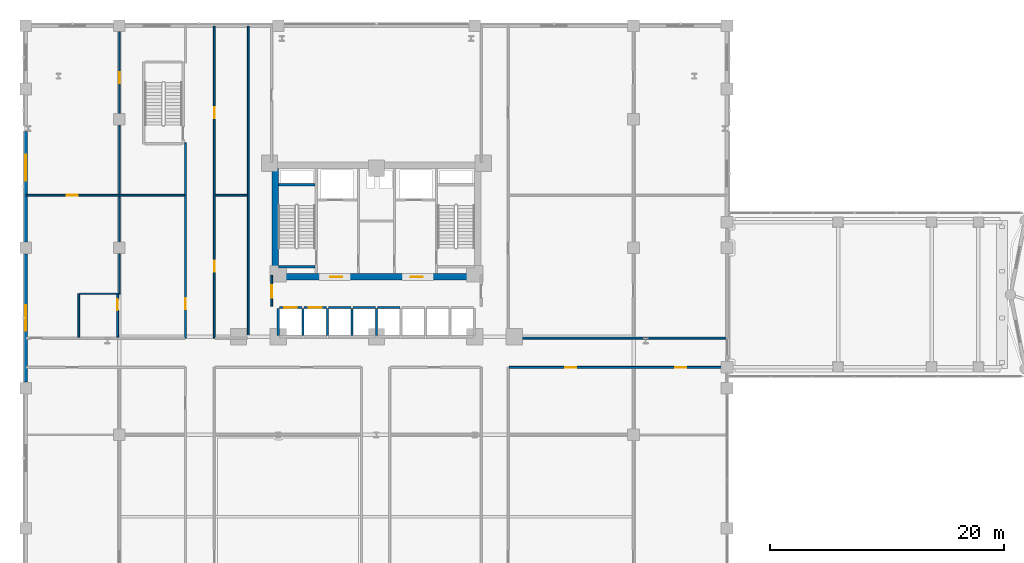
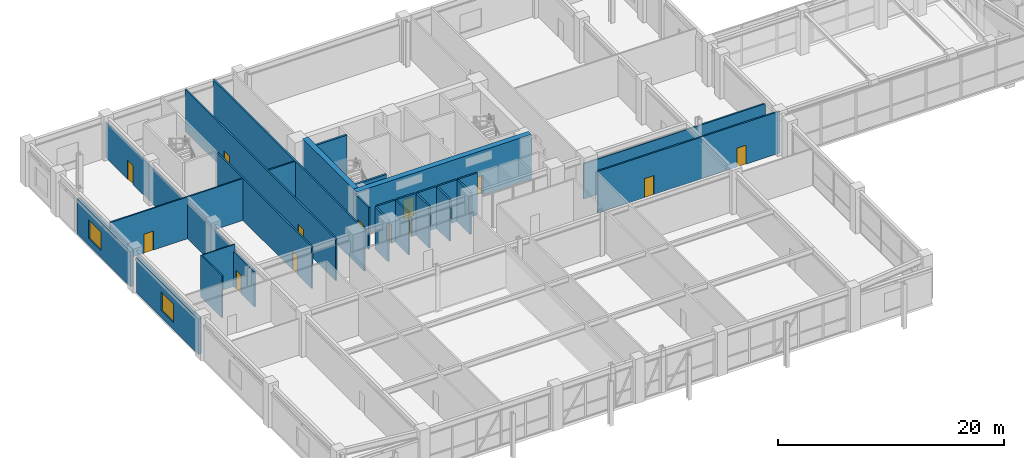
# One storey, part 33 of 48: 28 walls, 13 doors, 2 windows, 15 openings.
"""IFC4 building model written with IfcOpenShell, lengths in metres."""

from ifc_helpers import new_model, si_unit, derived_unit, direction, frame, frame_2d, origin, place, context, subcontext, project, spatial, rectangle, extrude, material, layer, layer_set, type_object, element, fill, save


model = new_model("IFC4")

# Units and contexts
model_context = context("Model", 3, precision=1e-05, world=origin(), true_north=direction((0.0, 1.0)))
body_context = subcontext(model_context, "Body", "Model", "MODEL_VIEW")
ifc_project = project(units=[si_unit("LENGTHUNIT", "METRE"), si_unit("AREAUNIT", "SQUARE_METRE"), si_unit("VOLUMEUNIT", "CUBIC_METRE"), si_unit("PLANEANGLEUNIT", "RADIAN"), si_unit("MASSUNIT", "GRAM", prefix="KILO"), derived_unit("THERMALTRANSMITTANCEUNIT", [(si_unit("POWERUNIT", "WATT"), 1), (si_unit("LENGTHUNIT", "METRE"), -2), (si_unit("THERMODYNAMICTEMPERATUREUNIT", "KELVIN"), -1)])], contexts=[model_context])

# Site, building, storey
site_placement = place(None, origin())
site = spatial("IfcSite", under=ifc_project, at=site_placement, CompositionType="ELEMENT")
building_placement = place(site_placement, origin())
building = spatial("IfcBuilding", under=site, at=building_placement, Name="Korsvarv Bourse and Concert Hall", CompositionType="ELEMENT")
storey_placement = place(building_placement, frame((0.0, 0.0, 4.800048828125)))
storey = spatial("IfcBuildingStorey", under=building, at=storey_placement, Name="L01", CompositionType="ELEMENT", Elevation=4.800048828125)

# Walls
ifc_material_1 = material(Name="Concrete C50/60", Category="concrete")
ifc_layer_1 = layer(ifc_material_1, 0.3798828125)
ifc_layer_set_1 = layer_set([ifc_layer_1], Name="Concrete C50/60")
wall_type_1 = type_object("IfcWallType", Name="WL-CORE-380", PredefinedType="SHEAR", material=ifc_layer_set_1)
for number, where, z_axis, x_axis, name in (
    (1, (27.610107421875, 45.39990234375, 0.0), (0.0, 0.0, 1.0), (1.0, 0.0, 0.0), "L01 stair shaft structural wall W-L01-ST1-N"),
    (2, (27.610107421875, 38.39990234375, 0.0), (0.0, 0.0, 1.0), (1.0, 0.0, 0.0), "L01 stair shaft structural wall W-L01-ST1-S"),
):
    element("IfcWall", number, at=place(storey_placement, frame(where, z_axis=z_axis, x_axis=x_axis)), inside=storey, type_object=wall_type_1, Name=name, PredefinedType="SHEAR", context=body_context, shape_type="SweptSolid", body=[
        extrude(rectangle(XDim=3.139892578125, YDim=0.199951171875, at=frame_2d((1.56982421875, 0.0))), origin(), (0.0, 0.0, 1.0), 4.800048828125),
    ])

# Wall, openings, doors
ifc_material_2 = material(Name="Concrete C60/75", Category="concrete")
ifc_layer_2 = layer(ifc_material_2, 0.550048828125)
ifc_layer_set_2 = layer_set([ifc_layer_2], Name="Concrete C60/75")
wall_type_2 = type_object("IfcWallType", Name="WL-CORE-550", PredefinedType="SHEAR", material=ifc_layer_set_2)
wall_1_placement = place(storey_placement, frame((27.050048828125, 37.52490234375, 0.0), z_axis=(0.0, 0.0, 1.0), x_axis=(1.0, 0.0, 0.0)))
wall_1 = element("IfcWall", 3, at=wall_1_placement, inside=storey, type_object=wall_type_2, Name="L01 South Core Shear Wall", PredefinedType="SHEAR", context=body_context, shape_type="SweptSolid", body=[
    extrude(rectangle(XDim=17.89990234375, YDim=0.550048828125, at=frame_2d((8.949951171875, 0.0))), origin(), (0.0, 0.0, 1.0), 4.800048828125),
])
opening_1_placement = place(wall_1_placement, frame((4.97509765625, 0.0, 0.0)))
opening_1 = element("IfcOpeningElement", 4, at=opening_1_placement, cuts=wall_1, Name="Opening D-01", PredefinedType="OPENING", context=body_context, shape_type="SweptSolid", body=[
    extrude(rectangle(XDim=1.050048828125, YDim=2.10009765625, at=frame_2d((0.52490234375, 1.050048828125))), frame((0.0, 0.28515625, 0.0), z_axis=(0.0, -1.0, 0.0), x_axis=(1.0, 0.0, 0.0)), (0.0, 0.0, 1.0), 0.570068359375),
])
opening_2_placement = place(wall_1_placement, frame((11.875, 0.0, 0.0)))
opening_2 = element("IfcOpeningElement", 5, at=opening_2_placement, cuts=wall_1, Name="Opening D-01", PredefinedType="OPENING", context=body_context, shape_type="SweptSolid", body=[
    extrude(rectangle(XDim=1.050048828125, YDim=2.10009765625, at=frame_2d((0.52490234375, 1.050048828125))), frame((0.0, 0.28515625, 0.0), z_axis=(0.0, -1.0, 0.0), x_axis=(1.0, 0.0, 0.0)), (0.0, 0.0, 1.0), 0.570068359375),
])
ifc_material_3 = material(Name="Steel S355 fire door", Category="steel")
door_type_1 = type_object("IfcDoorType", Name="DR-FD60", OperationType="NOTDEFINED", PredefinedType="DOOR", material=ifc_material_3)
door_1_placement = place(opening_1_placement, frame((1.050048828125, 0.0, 0.0), z_axis=(0.0, 0.0, 1.0), x_axis=(-1.0, 0.0, 0.0)))
door_1 = element("IfcDoor", 6, at=door_1_placement, inside=storey, type_object=door_type_1, Name="L01 firefighting lobby fire door DR-L01-FFLW", OperationType="SINGLE_SWING_LEFT", OverallHeight=2.10009765625, OverallWidth=1.050048828125, PredefinedType="DOOR", context=body_context, shape_type="SweptSolid", body=[
    extrude(rectangle(XDim=1.050048828125, YDim=2.10009765625, at=frame_2d((0.52490234375, 1.050048828125))), frame((0.0, 0.02490234375, 0.0), z_axis=(0.0, -1.0, 0.0), x_axis=(1.0, 0.0, 0.0)), (0.0, 0.0, 1.0), 0.050048828125),
])
fill(opening_1, door_1)
door_2_placement = place(opening_2_placement, frame((1.050048828125, 0.0, 0.0), z_axis=(0.0, 0.0, 1.0), x_axis=(-1.0, 0.0, 0.0)))
door_2 = element("IfcDoor", 7, at=door_2_placement, inside=storey, type_object=door_type_1, Name="L01 firefighting lobby fire door DR-L01-FFLE", OperationType="SINGLE_SWING_RIGHT", OverallHeight=2.10009765625, OverallWidth=1.050048828125, PredefinedType="DOOR", context=body_context, shape_type="SweptSolid", body=[
    extrude(rectangle(XDim=1.050048828125, YDim=2.10009765625, at=frame_2d((0.52490234375, 1.050048828125))), frame((0.0, 0.02490234375, 0.0), z_axis=(0.0, -1.0, 0.0), x_axis=(1.0, 0.0, 0.0)), (0.0, 0.0, 1.0), 0.050048828125),
])
fill(opening_2, door_2)

# Wall
wall_2_placement = place(storey_placement, frame((27.324951171875, 37.800048828125, 0.0), z_axis=(0.0, 0.0, 1.0), x_axis=(0.0, 1.0, 0.0)))
element("IfcWall", 8, at=wall_2_placement, inside=storey, type_object=wall_type_2, Name="L01 West Core Shear Wall", PredefinedType="SHEAR", context=body_context, shape_type="SweptSolid", body=[
    extrude(rectangle(XDim=9.0, YDim=0.550048828125, at=frame_2d((4.5, 0.0))), origin(), (0.0, 0.0, 1.0), 4.800048828125),
])

# Wall, opening, window
ifc_material_4 = material(Name="Precast concrete C45/55 with granite and terracotta", Category="concrete")
ifc_layer_3 = layer(ifc_material_4, 0.320068359375)
ifc_layer_set_3 = layer_set([ifc_layer_3], Name="Precast concrete C45/55 with granite and terracotta")
wall_type_3 = type_object("IfcWallType", Name="WL-EXT-POD", PredefinedType="SOLIDWALL", material=ifc_layer_set_3)
wall_3_placement = place(storey_placement, frame((6.0, 28.5048828125, 0.0), z_axis=(0.0, 0.0, 1.0), x_axis=(0.0, 1.0, 0.0)))
wall_3 = element("IfcWall", 9, at=wall_3_placement, inside=storey, type_object=wall_type_3, Name="L01 terracotta exterior wall EW-L01-W3", PredefinedType="SOLIDWALL", context=body_context, shape_type="SweptSolid", body=[
    extrude(rectangle(XDim=10.990234375, YDim=0.320068359375, at=frame_2d((5.4951171875, 0.0))), origin(), (0.0, 0.0, 1.0), 3.820068359375),
])
opening_3_placement = place(wall_3_placement, frame((4.39501953125, 0.0, 0.75)))
opening_3 = element("IfcOpeningElement", 10, at=opening_3_placement, cuts=wall_3, Name="Opening W-03", PredefinedType="OPENING", context=body_context, shape_type="SweptSolid", body=[
    extrude(rectangle(XDim=2.199951171875, YDim=2.0, at=frame_2d((1.10009765625, 1.0))), frame((0.0, 0.169921875, 0.0), z_axis=(0.0, -1.0, 0.0), x_axis=(1.0, 0.0, 0.0)), (0.0, 0.0, 1.0), 0.340087890625),
])
ifc_material_5 = material(Name="Thermally broken aluminium frame with triple low-E glass", Category="glass")
window_type = type_object("IfcWindowType", Name="WIN-POD1", PartitioningType="SINGLE_PANEL", PredefinedType="WINDOW", material=ifc_material_5)
window_1_placement = place(opening_3_placement, origin())
window_1 = element("IfcWindow", 11, at=window_1_placement, inside=storey, type_object=window_type, Name="L01 punched facade window W-03", OverallHeight=2.0, OverallWidth=2.199951171875, PartitioningType="SINGLE_PANEL", PredefinedType="WINDOW", context=body_context, shape_type="SweptSolid", body=[
    extrude(rectangle(XDim=2.199951171875, YDim=2.0, at=frame_2d((1.10009765625, 1.0))), frame((0.0, 0.030029296875, 0.0), z_axis=(0.0, -1.0, 0.0), x_axis=(1.0, 0.0, 0.0)), (0.0, 0.0, 1.0), 0.06005859375),
])
fill(opening_3, window_1)

wall_4_placement = place(storey_placement, frame((6.0, 40.5048828125, 0.0), z_axis=(0.0, 0.0, 1.0), x_axis=(0.0, 1.0, 0.0)))
wall_4 = element("IfcWall", 12, at=wall_4_placement, inside=storey, type_object=wall_type_3, Name="L01 terracotta exterior wall EW-L01-W4-1", PredefinedType="SOLIDWALL", context=body_context, shape_type="SweptSolid", body=[
    extrude(rectangle(XDim=9.47021484375, YDim=0.320068359375, at=frame_2d((4.735107421875, 0.0))), origin(), (0.0, 0.0, 1.0), 3.820068359375),
])
opening_4_placement = place(wall_4_placement, frame((5.252685546875, 0.0, 0.75)))
opening_4 = element("IfcOpeningElement", 13, at=opening_4_placement, cuts=wall_4, Name="Opening W-03", PredefinedType="OPENING", context=body_context, shape_type="SweptSolid", body=[
    extrude(rectangle(XDim=2.199951171875, YDim=2.0, at=frame_2d((1.10009765625, 1.0))), frame((0.0, 0.169921875, 0.0), z_axis=(0.0, -1.0, 0.0), x_axis=(1.0, 0.0, 0.0)), (0.0, 0.0, 1.0), 0.340087890625),
])
window_2_placement = place(opening_4_placement, origin())
window_2 = element("IfcWindow", 14, at=window_2_placement, inside=storey, type_object=window_type, Name="L01 punched facade window W-03", OverallHeight=2.0, OverallWidth=2.199951171875, PartitioningType="SINGLE_PANEL", PredefinedType="WINDOW", context=body_context, shape_type="SweptSolid", body=[
    extrude(rectangle(XDim=2.199951171875, YDim=2.0, at=frame_2d((1.10009765625, 1.0))), frame((0.0, 0.030029296875, 0.0), z_axis=(0.0, -1.0, 0.0), x_axis=(1.0, 0.0, 0.0)), (0.0, 0.0, 1.0), 0.06005859375),
])
fill(opening_4, window_2)

# Wall, opening, door
ifc_material_6 = material(Name="Double-stud fire-rated acoustic partition", Category="gypsum")
ifc_layer_4 = layer(ifc_material_6, 0.159912109375)
ifc_layer_set_4 = layer_set([ifc_layer_4], Name="Double-stud fire-rated acoustic partition")
wall_type_4 = type_object("IfcWallType", Name="WL-INT-EI60", PredefinedType="PARTITIONING", material=ifc_layer_set_4)
wall_5_placement = place(storey_placement, frame((27.0400390625, 35.0, 0.0), z_axis=(0.0, 0.0, 1.0), x_axis=(0.0, 1.0, 0.0)))
wall_5 = element("IfcWall", 15, at=wall_5_placement, inside=storey, type_object=wall_type_4, Name="L01 interior partition wall W-L01-LOB-W", PredefinedType="PARTITIONING", context=body_context, shape_type="SweptSolid", body=[
    extrude(rectangle(XDim=2.64990234375, YDim=0.159912109375, at=frame_2d((1.324951171875, 0.0))), origin(), (0.0, 0.0, 1.0), 4.52001953125),
])
opening_5_placement = place(wall_5_placement, frame((0.75, 0.0, 0.0)))
opening_5 = element("IfcOpeningElement", 16, at=opening_5_placement, cuts=wall_5, Name="Opening D-01", PredefinedType="OPENING", context=body_context, shape_type="SweptSolid", body=[
    extrude(rectangle(XDim=1.050048828125, YDim=2.10009765625, at=frame_2d((0.52490234375, 1.050048828125))), frame((0.0, 0.08984375, 0.0), z_axis=(0.0, -1.0, 0.0), x_axis=(1.0, 0.0, 0.0)), (0.0, 0.0, 1.0), 0.179931640625),
])
door_3_placement = place(opening_5_placement, frame((1.050048828125, 0.0, 0.0), z_axis=(0.0, 0.0, 1.0), x_axis=(-1.0, 0.0, 0.0)))
door_3 = element("IfcDoor", 17, at=door_3_placement, inside=storey, type_object=door_type_1, Name="L01 interior door DR-L01-LOBW", OperationType="SINGLE_SWING_LEFT", OverallHeight=2.10009765625, OverallWidth=1.050048828125, PredefinedType="DOOR", context=body_context, shape_type="SweptSolid", body=[
    extrude(rectangle(XDim=1.050048828125, YDim=2.10009765625, at=frame_2d((0.52490234375, 1.050048828125))), frame((0.0, 0.02490234375, 0.0), z_axis=(0.0, -1.0, 0.0), x_axis=(1.0, 0.0, 0.0)), (0.0, 0.0, 1.0), 0.050048828125),
])
fill(opening_5, door_3)

# Wall, openings, doors
wall_6_placement = place(storey_placement, frame((22.125, 32.27001953125, 0.0), z_axis=(0.0, 0.0, 1.0), x_axis=(0.0, 1.0, 0.0)))
wall_6 = element("IfcWall", 18, at=wall_6_placement, inside=storey, type_object=wall_type_4, Name="L01 interior partition wall W-L01-PCOR-08", PredefinedType="PARTITIONING", context=body_context, shape_type="SweptSolid", body=[
    extrude(rectangle(XDim=26.7099609375, YDim=0.159912109375, at=frame_2d((13.35498046875, 0.0))), origin(), (0.0, 0.0, 1.0), 4.52001953125),
])
opening_6_placement = place(wall_6_placement, frame((5.695068359375, 0.0, 0.0)))
opening_6 = element("IfcOpeningElement", 19, at=opening_6_placement, cuts=wall_6, Name="Opening D-02", PredefinedType="OPENING", context=body_context, shape_type="SweptSolid", body=[
    extrude(rectangle(XDim=0.949951171875, YDim=2.050048828125, at=frame_2d((0.47509765625, 1.02490234375))), frame((0.0, 0.08984375, 0.0), z_axis=(0.0, -1.0, 0.0), x_axis=(1.0, 0.0, 0.0)), (0.0, 0.0, 1.0), 0.179931640625),
])
opening_7_placement = place(wall_6_placement, frame((18.83349609375, 0.0, 0.0)))
opening_7 = element("IfcOpeningElement", 20, at=opening_7_placement, cuts=wall_6, Name="Opening D-02", PredefinedType="OPENING", context=body_context, shape_type="SweptSolid", body=[
    extrude(rectangle(XDim=0.949951171875, YDim=2.050048828125, at=frame_2d((0.47509765625, 1.02490234375))), frame((0.0, 0.08984375, 0.0), z_axis=(0.0, -1.0, 0.0), x_axis=(1.0, 0.0, 0.0)), (0.0, 0.0, 1.0), 0.179931640625),
])
ifc_material_7 = material(Name="Timber and steel acoustic fire door", Category="wood")
door_type_2 = type_object("IfcDoorType", Name="DR-FD30", OperationType="NOTDEFINED", PredefinedType="DOOR", material=ifc_material_7)
door_4_placement = place(opening_6_placement, origin())
door_4 = element("IfcDoor", 21, at=door_4_placement, inside=storey, type_object=door_type_2, Name="L01 interior door DR-L01-PCOR-RM1414", OperationType="SINGLE_SWING_RIGHT", OverallHeight=2.050048828125, OverallWidth=0.949951171875, PredefinedType="DOOR", context=body_context, shape_type="SweptSolid", body=[
    extrude(rectangle(XDim=0.949951171875, YDim=2.050048828125, at=frame_2d((0.47509765625, 1.02490234375))), frame((0.0, 0.02490234375, 0.0), z_axis=(0.0, -1.0, 0.0), x_axis=(1.0, 0.0, 0.0)), (0.0, 0.0, 1.0), 0.050048828125),
])
fill(opening_6, door_4)
door_5_placement = place(opening_7_placement, origin())
door_5 = element("IfcDoor", 22, at=door_5_placement, inside=storey, type_object=door_type_2, Name="L01 interior door DR-L01-PCOR-RM1515", OperationType="SINGLE_SWING_LEFT", OverallHeight=2.050048828125, OverallWidth=0.949951171875, PredefinedType="DOOR", context=body_context, shape_type="SweptSolid", body=[
    extrude(rectangle(XDim=0.949951171875, YDim=2.050048828125, at=frame_2d((0.47509765625, 1.02490234375))), frame((0.0, 0.02490234375, 0.0), z_axis=(0.0, -1.0, 0.0), x_axis=(1.0, 0.0, 0.0)), (0.0, 0.0, 1.0), 0.050048828125),
])
fill(opening_7, door_5)

# Wall
wall_7_placement = place(storey_placement, frame((25.02490234375, 32.27001953125, 0.0), z_axis=(0.0, 0.0, 1.0), x_axis=(0.0, 1.0, 0.0)))
element("IfcWall", 23, at=wall_7_placement, inside=storey, type_object=wall_type_4, Name="L01 interior partition wall W-L01-PCOR-09", PredefinedType="PARTITIONING", context=body_context, shape_type="SweptSolid", body=[
    extrude(rectangle(XDim=26.7099609375, YDim=0.159912109375, at=frame_2d((13.35498046875, 0.0))), origin(), (0.0, 0.0, 1.0), 4.52001953125),
])

# Wall, openings, doors
wall_8_placement = place(storey_placement, frame((47.35693359375, 29.77490234375, 0.0), z_axis=(0.0, 0.0, 1.0), x_axis=(1.0, 0.0, 0.0)))
wall_8 = element("IfcWall", 24, at=wall_8_placement, inside=storey, type_object=wall_type_4, Name="L01 interior partition wall W-L01-PCOR-10", PredefinedType="PARTITIONING", context=body_context, shape_type="SweptSolid", body=[
    extrude(rectangle(XDim=18.623046875, YDim=0.159912109375, at=frame_2d((9.3115234375, 0.0))), origin(), (0.0, 0.0, 1.0), 4.52001953125),
])
opening_8_placement = place(wall_8_placement, frame((4.794921875, 0.0, 0.0)))
opening_8 = element("IfcOpeningElement", 25, at=opening_8_placement, cuts=wall_8, Name="Opening D-02", PredefinedType="OPENING", context=body_context, shape_type="SweptSolid", body=[
    extrude(rectangle(XDim=0.949951171875, YDim=2.050048828125, at=frame_2d((0.47509765625, 1.02490234375))), frame((0.0, 0.08984375, 0.0), z_axis=(0.0, -1.0, 0.0), x_axis=(1.0, 0.0, 0.0)), (0.0, 0.0, 1.0), 0.179931640625),
])
opening_9_placement = place(wall_8_placement, frame((14.207763671875, 0.0, 0.0)))
opening_9 = element("IfcOpeningElement", 26, at=opening_9_placement, cuts=wall_8, Name="Opening D-02", PredefinedType="OPENING", context=body_context, shape_type="SweptSolid", body=[
    extrude(rectangle(XDim=0.949951171875, YDim=2.050048828125, at=frame_2d((0.47509765625, 1.02490234375))), frame((0.0, 0.08984375, 0.0), z_axis=(0.0, -1.0, 0.0), x_axis=(1.0, 0.0, 0.0)), (0.0, 0.0, 1.0), 0.179931640625),
])
door_6_placement = place(opening_8_placement, origin())
door_6 = element("IfcDoor", 27, at=door_6_placement, inside=storey, type_object=door_type_2, Name="L01 interior door DR-L01-PCOR-RM33", OperationType="SINGLE_SWING_RIGHT", OverallHeight=2.050048828125, OverallWidth=0.949951171875, PredefinedType="DOOR", context=body_context, shape_type="SweptSolid", body=[
    extrude(rectangle(XDim=0.949951171875, YDim=2.050048828125, at=frame_2d((0.47509765625, 1.02490234375))), frame((0.0, 0.02490234375, 0.0), z_axis=(0.0, -1.0, 0.0), x_axis=(1.0, 0.0, 0.0)), (0.0, 0.0, 1.0), 0.050048828125),
])
fill(opening_8, door_6)
door_7_placement = place(opening_9_placement, origin())
door_7 = element("IfcDoor", 28, at=door_7_placement, inside=storey, type_object=door_type_2, Name="L01 interior door DR-L01-PCOR-RM44", OperationType="SINGLE_SWING_LEFT", OverallHeight=2.050048828125, OverallWidth=0.949951171875, PredefinedType="DOOR", context=body_context, shape_type="SweptSolid", body=[
    extrude(rectangle(XDim=0.949951171875, YDim=2.050048828125, at=frame_2d((0.47509765625, 1.02490234375))), frame((0.0, 0.02490234375, 0.0), z_axis=(0.0, -1.0, 0.0), x_axis=(1.0, 0.0, 0.0)), (0.0, 0.0, 1.0), 0.050048828125),
])
fill(opening_9, door_7)

# Wall
wall_9_placement = place(storey_placement, frame((47.35693359375, 32.27490234375, 0.0), z_axis=(0.0, 0.0, 1.0), x_axis=(1.0, 0.0, 0.0)))
element("IfcWall", 29, at=wall_9_placement, inside=storey, type_object=wall_type_4, Name="L01 interior partition wall W-L01-PCOR-11", PredefinedType="PARTITIONING", context=body_context, shape_type="SweptSolid", body=[
    extrude(rectangle(XDim=18.56103515625, YDim=0.159912109375, at=frame_2d((9.280517578125, 0.0))), origin(), (0.0, 0.0, 1.0), 3.820068359375),
])

# Wall, opening, door
wall_10_placement = place(storey_placement, frame((19.6650390625, 32.27001953125, 0.0), z_axis=(0.0, 0.0, 1.0), x_axis=(0.0, 1.0, 0.0)))
wall_10 = element("IfcWall", 30, at=wall_10_placement, inside=storey, type_object=wall_type_4, Name="L01 interior partition wall W-L01-PCOR-12", PredefinedType="PARTITIONING", context=body_context, shape_type="SweptSolid", body=[
    extrude(rectangle(XDim=16.7099609375, YDim=0.159912109375, at=frame_2d((8.35498046875, 0.0))), origin(), (0.0, 0.0, 1.0), 4.52001953125),
])
opening_10_placement = place(wall_10_placement, frame((2.469970703125, 0.0, 0.0)))
opening_10 = element("IfcOpeningElement", 31, at=opening_10_placement, cuts=wall_10, Name="Opening D-02", PredefinedType="OPENING", context=body_context, shape_type="SweptSolid", body=[
    extrude(rectangle(XDim=0.949951171875, YDim=2.050048828125, at=frame_2d((0.47509765625, 1.02490234375))), frame((0.0, 0.08984375, 0.0), z_axis=(0.0, -1.0, 0.0), x_axis=(1.0, 0.0, 0.0)), (0.0, 0.0, 1.0), 0.179931640625),
])
door_8_placement = place(opening_10_placement, origin())
door_8 = element("IfcDoor", 32, at=door_8_placement, inside=storey, type_object=door_type_2, Name="L01 interior door DR-L01-PCOR-RM2222", OperationType="SINGLE_SWING_RIGHT", OverallHeight=2.050048828125, OverallWidth=0.949951171875, PredefinedType="DOOR", context=body_context, shape_type="SweptSolid", body=[
    extrude(rectangle(XDim=0.949951171875, YDim=2.050048828125, at=frame_2d((0.47509765625, 1.02490234375))), frame((0.0, 0.02490234375, 0.0), z_axis=(0.0, -1.0, 0.0), x_axis=(1.0, 0.0, 0.0)), (0.0, 0.0, 1.0), 0.050048828125),
])
fill(opening_10, door_8)

wall_11_placement = place(storey_placement, frame((13.85009765625, 32.35693359375, 0.0), z_axis=(0.0, 0.0, 1.0), x_axis=(0.0, 1.0, 0.0)))
wall_11 = element("IfcWall", 33, at=wall_11_placement, inside=storey, type_object=wall_type_4, Name="L01 interior partition wall W-L01-PCOR-19", PredefinedType="PARTITIONING", context=body_context, shape_type="SweptSolid", body=[
    extrude(rectangle(XDim=3.64599609375, YDim=0.159912109375, at=frame_2d((1.822998046875, 0.0))), origin(), (0.0, 0.0, 1.0), 3.820068359375),
])
opening_11_placement = place(wall_11_placement, frame((2.31591796875, 0.0, 0.0)))
opening_11 = element("IfcOpeningElement", 34, at=opening_11_placement, cuts=wall_11, Name="Opening D-02", PredefinedType="OPENING", context=body_context, shape_type="SweptSolid", body=[
    extrude(rectangle(XDim=0.949951171875, YDim=2.050048828125, at=frame_2d((0.47509765625, 1.02490234375))), frame((0.0, 0.08984375, 0.0), z_axis=(0.0, -1.0, 0.0), x_axis=(1.0, 0.0, 0.0)), (0.0, 0.0, 1.0), 0.179931640625),
])
door_9_placement = place(opening_11_placement, origin())
door_9 = element("IfcDoor", 35, at=door_9_placement, inside=storey, type_object=door_type_2, Name="L01 interior door DR-L01-PCOR-RWC", OperationType="SINGLE_SWING_RIGHT", OverallHeight=2.050048828125, OverallWidth=0.949951171875, PredefinedType="DOOR", context=body_context, shape_type="SweptSolid", body=[
    extrude(rectangle(XDim=0.949951171875, YDim=2.050048828125, at=frame_2d((0.47509765625, 1.02490234375))), frame((0.0, 0.02490234375, 0.0), z_axis=(0.0, -1.0, 0.0), x_axis=(1.0, 0.0, 0.0)), (0.0, 0.0, 1.0), 0.050048828125),
])
fill(opening_11, door_9)

ifc_material_8 = material(Name="Gypsum-clad autoclaved concrete shaft wall C30/37", Category="concrete")
ifc_layer_5 = layer(ifc_material_8, 0.179931640625)
ifc_layer_set_5 = layer_set([ifc_layer_5], Name="Gypsum-clad autoclaved concrete shaft wall C30/37")
wall_type_5 = type_object("IfcWallType", Name="WL-INT-EI90", PredefinedType="PARTITIONING", material=ifc_layer_set_5)
wall_12_placement = place(storey_placement, frame((27.68994140625, 34.89990234375, 0.0), z_axis=(0.0, 0.0, 1.0), x_axis=(1.0, 0.0, 0.0)))
wall_12 = element("IfcWall", 36, at=wall_12_placement, inside=storey, type_object=wall_type_5, Name="L01 interior partition wall W-L01-SHFN-PL1", PredefinedType="PARTITIONING", context=body_context, shape_type="SweptSolid", body=[
    extrude(rectangle(XDim=1.920166015625, YDim=0.179931640625, at=frame_2d((0.9599609375, 0.0))), origin(), (0.0, 0.0, 1.0), 4.52001953125),
])
opening_12_placement = place(wall_12_placement, frame((0.409912109375, 0.0, 0.0)))
opening_12 = element("IfcOpeningElement", 37, at=opening_12_placement, cuts=wall_12, Name="Opening LD-2", PredefinedType="OPENING", context=body_context, shape_type="SweptSolid", body=[
    extrude(rectangle(XDim=1.10009765625, YDim=2.10009765625, at=frame_2d((0.550048828125, 1.050048828125))), frame((0.0, 0.10009765625, 0.0), z_axis=(0.0, -1.0, 0.0), x_axis=(1.0, 0.0, 0.0)), (0.0, 0.0, 1.0), 0.199951171875),
])
ifc_material_9 = material(Name="Brushed stainless Steel S355 lift landing door", Category="steel")
door_type_3 = type_object("IfcDoorType", Name="DR-LIFT-P", OperationType="DOUBLE_DOOR_SLIDING", PredefinedType="DOOR", material=ifc_material_9)
door_10_placement = place(opening_12_placement, origin())
door_10 = element("IfcDoor", 38, at=door_10_placement, inside=storey, type_object=door_type_3, Name="L01 lift sliding landing door LD-L01-PL1", OperationType="DOUBLE_DOOR_SLIDING", OverallHeight=2.10009765625, OverallWidth=1.10009765625, PredefinedType="DOOR", context=body_context, shape_type="SweptSolid", body=[
    extrude(rectangle(XDim=1.10009765625, YDim=2.10009765625, at=frame_2d((0.550048828125, 1.050048828125))), frame((0.0, 0.02490234375, 0.0), z_axis=(0.0, -1.0, 0.0), x_axis=(1.0, 0.0, 0.0)), (0.0, 0.0, 1.0), 0.050048828125),
])
fill(opening_12, door_10)

# Wall
wall_13_placement = place(storey_placement, frame((27.60009765625, 32.489990234375, 0.0), z_axis=(0.0, 0.0, 1.0), x_axis=(0.0, 1.0, 0.0)))
element("IfcWall", 39, at=wall_13_placement, inside=storey, type_object=wall_type_5, Name="L01 interior partition wall W-L01-SHFW-PL1", PredefinedType="PARTITIONING", context=body_context, shape_type="SweptSolid", body=[
    extrude(rectangle(XDim=2.320068359375, YDim=0.179931640625, at=frame_2d((1.16015625, 0.0))), origin(), (0.0, 0.0, 1.0), 4.52001953125),
])

# Wall, opening, door
wall_14_placement = place(storey_placement, frame((29.7900390625, 34.89990234375, 0.0), z_axis=(0.0, 0.0, 1.0), x_axis=(1.0, 0.0, 0.0)))
wall_14 = element("IfcWall", 40, at=wall_14_placement, inside=storey, type_object=wall_type_5, Name="L01 interior partition wall W-L01-SHFN-PL2", PredefinedType="PARTITIONING", context=body_context, shape_type="SweptSolid", body=[
    extrude(rectangle(XDim=1.919921875, YDim=0.179931640625, at=frame_2d((0.9599609375, 0.0))), origin(), (0.0, 0.0, 1.0), 4.52001953125),
])
opening_13_placement = place(wall_14_placement, frame((0.409912109375, 0.0, 0.0)))
opening_13 = element("IfcOpeningElement", 41, at=opening_13_placement, cuts=wall_14, Name="Opening LD-2", PredefinedType="OPENING", context=body_context, shape_type="SweptSolid", body=[
    extrude(rectangle(XDim=1.10009765625, YDim=2.10009765625, at=frame_2d((0.550048828125, 1.050048828125))), frame((0.0, 0.10009765625, 0.0), z_axis=(0.0, -1.0, 0.0), x_axis=(1.0, 0.0, 0.0)), (0.0, 0.0, 1.0), 0.199951171875),
])
door_11_placement = place(opening_13_placement, origin())
door_11 = element("IfcDoor", 42, at=door_11_placement, inside=storey, type_object=door_type_3, Name="L01 lift sliding landing door LD-L01-PL2", OperationType="DOUBLE_DOOR_SLIDING", OverallHeight=2.10009765625, OverallWidth=1.10009765625, PredefinedType="DOOR", context=body_context, shape_type="SweptSolid", body=[
    extrude(rectangle(XDim=1.10009765625, YDim=2.10009765625, at=frame_2d((0.550048828125, 1.050048828125))), frame((0.0, 0.02490234375, 0.0), z_axis=(0.0, -1.0, 0.0), x_axis=(1.0, 0.0, 0.0)), (0.0, 0.0, 1.0), 0.050048828125),
])
fill(opening_13, door_11)

# Walls
wall_15_placement = place(storey_placement, frame((29.699951171875, 32.489990234375, 0.0), z_axis=(0.0, 0.0, 1.0), x_axis=(0.0, 1.0, 0.0)))
element("IfcWall", 43, at=wall_15_placement, inside=storey, type_object=wall_type_5, Name="L01 interior partition wall W-L01-SHFW-PL2", PredefinedType="PARTITIONING", context=body_context, shape_type="SweptSolid", body=[
    extrude(rectangle(XDim=2.320068359375, YDim=0.179931640625, at=frame_2d((1.16015625, 0.0))), origin(), (0.0, 0.0, 1.0), 4.52001953125),
])
wall_16_placement = place(storey_placement, frame((31.889892578125, 34.89990234375, 0.0), z_axis=(0.0, 0.0, 1.0), x_axis=(1.0, 0.0, 0.0)))
element("IfcWall", 44, at=wall_16_placement, inside=storey, type_object=wall_type_5, Name="L01 interior partition wall W-L01-SHFN-PM1", PredefinedType="PARTITIONING", context=body_context, shape_type="SweptSolid", body=[
    extrude(rectangle(XDim=1.920166015625, YDim=0.179931640625, at=frame_2d((0.9599609375, 0.0))), origin(), (0.0, 0.0, 1.0), 4.52001953125),
])
wall_17_placement = place(storey_placement, frame((31.800048828125, 32.489990234375, 0.0), z_axis=(0.0, 0.0, 1.0), x_axis=(0.0, 1.0, 0.0)))
element("IfcWall", 45, at=wall_17_placement, inside=storey, type_object=wall_type_5, Name="L01 interior partition wall W-L01-SHFW-PM1", PredefinedType="PARTITIONING", context=body_context, shape_type="SweptSolid", body=[
    extrude(rectangle(XDim=2.320068359375, YDim=0.179931640625, at=frame_2d((1.16015625, 0.0))), origin(), (0.0, 0.0, 1.0), 4.52001953125),
])
wall_18_placement = place(storey_placement, frame((33.989990234375, 34.89990234375, 0.0), z_axis=(0.0, 0.0, 1.0), x_axis=(1.0, 0.0, 0.0)))
element("IfcWall", 46, at=wall_18_placement, inside=storey, type_object=wall_type_5, Name="L01 interior partition wall W-L01-SHFN-PM2", PredefinedType="PARTITIONING", context=body_context, shape_type="SweptSolid", body=[
    extrude(rectangle(XDim=1.919921875, YDim=0.179931640625, at=frame_2d((0.9599609375, 0.0))), origin(), (0.0, 0.0, 1.0), 4.52001953125),
])
wall_19_placement = place(storey_placement, frame((33.89990234375, 32.489990234375, 0.0), z_axis=(0.0, 0.0, 1.0), x_axis=(0.0, 1.0, 0.0)))
element("IfcWall", 47, at=wall_19_placement, inside=storey, type_object=wall_type_5, Name="L01 interior partition wall W-L01-SHFW-PM2", PredefinedType="PARTITIONING", context=body_context, shape_type="SweptSolid", body=[
    extrude(rectangle(XDim=2.320068359375, YDim=0.179931640625, at=frame_2d((1.16015625, 0.0))), origin(), (0.0, 0.0, 1.0), 4.52001953125),
])
wall_20_placement = place(storey_placement, frame((36.090087890625, 34.89990234375, 0.0), z_axis=(0.0, 0.0, 1.0), x_axis=(1.0, 0.0, 0.0)))
element("IfcWall", 48, at=wall_20_placement, inside=storey, type_object=wall_type_5, Name="L01 interior partition wall W-L01-SHFN-PH1", PredefinedType="PARTITIONING", context=body_context, shape_type="SweptSolid", body=[
    extrude(rectangle(XDim=1.919921875, YDim=0.179931640625, at=frame_2d((0.9599609375, 0.0))), origin(), (0.0, 0.0, 1.0), 4.52001953125),
])
wall_21_placement = place(storey_placement, frame((36.0, 32.489990234375, 0.0), z_axis=(0.0, 0.0, 1.0), x_axis=(0.0, 1.0, 0.0)))
element("IfcWall", 49, at=wall_21_placement, inside=storey, type_object=wall_type_5, Name="L01 interior partition wall W-L01-SHFW-PH1", PredefinedType="PARTITIONING", context=body_context, shape_type="SweptSolid", body=[
    extrude(rectangle(XDim=2.320068359375, YDim=0.179931640625, at=frame_2d((1.16015625, 0.0))), origin(), (0.0, 0.0, 1.0), 4.52001953125),
])
ifc_material_10 = material(Name="Demountable acoustic glass and aluminium dealing partition", Category="aluminium")
ifc_layer_6 = layer(ifc_material_10, 0.110107421875)
ifc_layer_set_6 = layer_set([ifc_layer_6], Name="Demountable acoustic glass and aluminium dealing partition")
wall_type_6 = type_object("IfcWallType", Name="WL-INT-MOV", PredefinedType="MOVABLE", material=ifc_layer_set_6)
wall_22_placement = place(storey_placement, frame((10.596923828125, 36.074951171875, 0.0), z_axis=(0.0, 0.0, 1.0), x_axis=(1.0, 0.0, 0.0)))
element("IfcWall", 50, at=wall_22_placement, inside=storey, type_object=wall_type_6, Name="L01 interior partition wall W-L01-PCOR-33", PredefinedType="MOVABLE", context=body_context, shape_type="SweptSolid", body=[
    extrude(rectangle(XDim=3.336181640625, YDim=0.110107421875, at=frame_2d((1.66796875, 0.0))), origin(), (0.0, 0.0, 1.0), 4.52001953125),
])

# Wall, opening, door
ifc_material_11 = material(Name="Insulated steel-stud office acoustic partition", Category="gypsum")
ifc_layer_7 = layer(ifc_material_11, 0.139892578125)
ifc_layer_set_7 = layer_set([ifc_layer_7], Name="Insulated steel-stud office acoustic partition")
wall_type_7 = type_object("IfcWallType", Name="WL-INT-P1", PredefinedType="PARTITIONING", material=ifc_layer_set_7)
wall_23_placement = place(storey_placement, frame((14.0048828125, 36.034912109375, 0.0), z_axis=(0.0, 0.0, 1.0), x_axis=(0.0, 1.0, 0.0)))
wall_23 = element("IfcWall", 51, at=wall_23_placement, inside=storey, type_object=wall_type_7, Name="L01 interior partition wall W-L01-PCOR-25", PredefinedType="PARTITIONING", context=body_context, shape_type="SweptSolid", body=[
    extrude(rectangle(XDim=22.945068359375, YDim=0.139892578125, at=frame_2d((11.47265625, 0.0))), origin(), (0.0, 0.0, 1.0), 3.820068359375),
])
opening_14_placement = place(wall_23_placement, frame((18.05224609375, 0.0, 0.0)))
opening_14 = element("IfcOpeningElement", 52, at=opening_14_placement, cuts=wall_23, Name="Opening D-03", PredefinedType="OPENING", context=body_context, shape_type="SweptSolid", body=[
    extrude(rectangle(XDim=0.949951171875, YDim=2.050048828125, at=frame_2d((0.47509765625, 1.02490234375))), frame((0.0, 0.080078125, 0.0), z_axis=(0.0, -1.0, 0.0), x_axis=(1.0, 0.0, 0.0)), (0.0, 0.0, 1.0), 0.159912109375),
])
ifc_material_12 = material(Name="Nordic oak acoustic office door", Category="wood")
door_type_4 = type_object("IfcDoorType", Name="DR-INT-1", OperationType="NOTDEFINED", PredefinedType="DOOR", material=ifc_material_12)
door_12_placement = place(opening_14_placement, origin())
door_12 = element("IfcDoor", 53, at=door_12_placement, inside=storey, type_object=door_type_4, Name="L01 interior door DR-L01-PCOR-RM2323", OperationType="SINGLE_SWING_LEFT", OverallHeight=2.050048828125, OverallWidth=0.949951171875, PredefinedType="DOOR", context=body_context, shape_type="SweptSolid", body=[
    extrude(rectangle(XDim=0.949951171875, YDim=2.050048828125, at=frame_2d((0.47509765625, 1.02490234375))), frame((0.0, 0.02490234375, 0.0), z_axis=(0.0, -1.0, 0.0), x_axis=(1.0, 0.0, 0.0)), (0.0, 0.0, 1.0), 0.050048828125),
])
fill(opening_14, door_12)

wall_24_placement = place(storey_placement, frame((6.02001953125, 44.5048828125, 0.0), z_axis=(0.0, 0.0, 1.0), x_axis=(1.0, 0.0, 0.0)))
wall_24 = element("IfcWall", 54, at=wall_24_placement, inside=storey, type_object=wall_type_7, Name="L01 interior partition wall W-L01-PCOR-29", PredefinedType="PARTITIONING", context=body_context, shape_type="SweptSolid", body=[
    extrude(rectangle(XDim=13.56298828125, YDim=0.139892578125, at=frame_2d((6.781494140625, 0.0))), origin(), (0.0, 0.0, 1.0), 4.52001953125),
])
opening_15_placement = place(wall_24_placement, frame((3.465087890625, 0.0, 0.0)))
opening_15 = element("IfcOpeningElement", 55, at=opening_15_placement, cuts=wall_24, Name="Opening D-03", PredefinedType="OPENING", context=body_context, shape_type="SweptSolid", body=[
    extrude(rectangle(XDim=0.949951171875, YDim=2.050048828125, at=frame_2d((0.47509765625, 1.02490234375))), frame((0.0, 0.080078125, 0.0), z_axis=(0.0, -1.0, 0.0), x_axis=(1.0, 0.0, 0.0)), (0.0, 0.0, 1.0), 0.159912109375),
])
door_13_placement = place(opening_15_placement, origin())
door_13 = element("IfcDoor", 56, at=door_13_placement, inside=storey, type_object=door_type_4, Name="L01 interior door DR-L01-PCOR-WC21", OperationType="SINGLE_SWING_RIGHT", OverallHeight=2.050048828125, OverallWidth=0.949951171875, PredefinedType="DOOR", context=body_context, shape_type="SweptSolid", body=[
    extrude(rectangle(XDim=0.949951171875, YDim=2.050048828125, at=frame_2d((0.47509765625, 1.02490234375))), frame((0.0, 0.02490234375, 0.0), z_axis=(0.0, -1.0, 0.0), x_axis=(1.0, 0.0, 0.0)), (0.0, 0.0, 1.0), 0.050048828125),
])
fill(opening_15, door_13)

# Walls
wall_25_placement = place(storey_placement, frame((10.52490234375, 32.35693359375, 0.0), z_axis=(0.0, 0.0, 1.0), x_axis=(0.0, 1.0, 0.0)))
element("IfcWall", 57, at=wall_25_placement, inside=storey, type_object=wall_type_7, Name="L01 interior partition wall W-L01-PCOR-32", PredefinedType="PARTITIONING", context=body_context, shape_type="SweptSolid", body=[
    extrude(rectangle(XDim=3.72314453125, YDim=0.139892578125, at=frame_2d((1.861572265625, 0.0))), origin(), (0.0, 0.0, 1.0), 4.52001953125),
])
wall_26_placement = place(storey_placement, frame((22.20703125, 44.5048828125, 0.0), z_axis=(0.0, 0.0, 1.0), x_axis=(1.0, 0.0, 0.0)))
element("IfcWall", 58, at=wall_26_placement, inside=storey, type_object=wall_type_7, Name="L01 interior partition wall W-L01-PCOR-34", PredefinedType="PARTITIONING", context=body_context, shape_type="SweptSolid", body=[
    extrude(rectangle(XDim=2.736083984375, YDim=0.139892578125, at=frame_2d((1.3681640625, 0.0))), origin(), (0.0, 0.0, 1.0), 4.52001953125),
])

save(model, "model.ifc")
